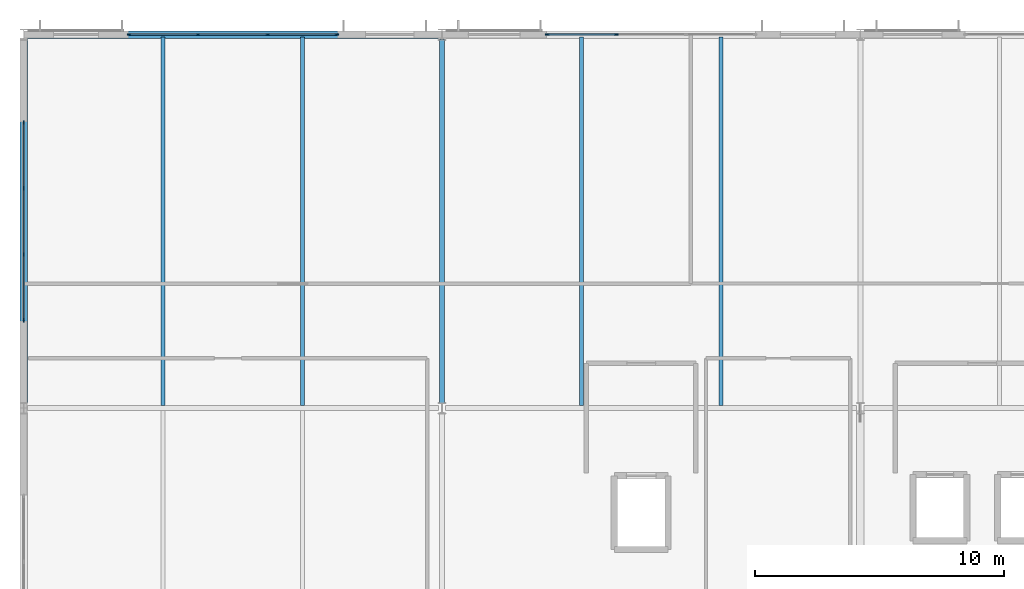
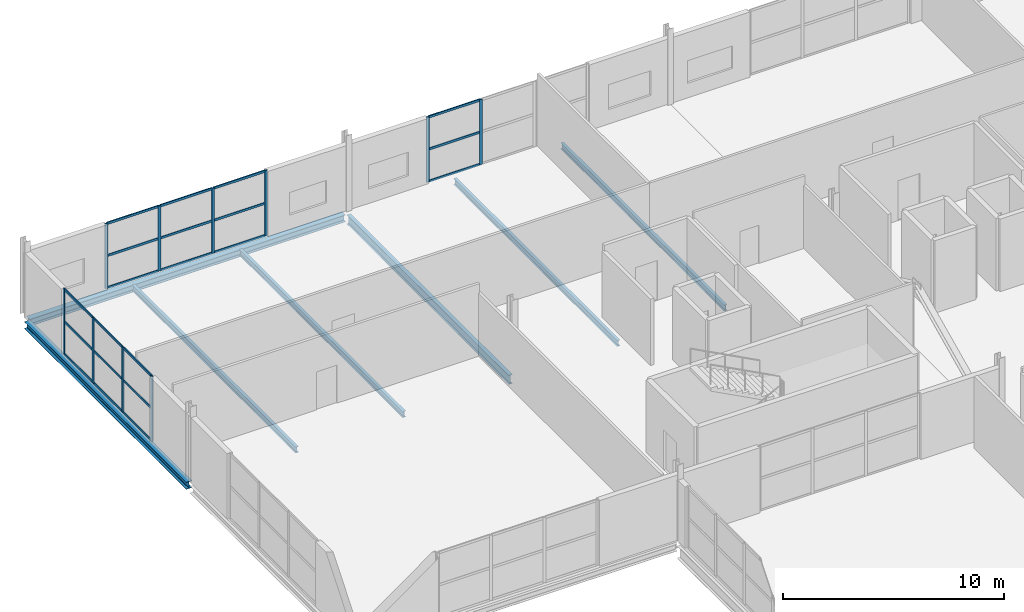
# One storey, part 14 of 39: 31 members, 7 beams, 3 elements without a shape of their own.
"""IFC4 building model written with IfcOpenShell, lengths in metres."""

from ifc_helpers import new_model, si_unit, direction, frame, origin, origin_2d, place, context, subcontext, project, spatial, rectangle, i_section, extrude, material, material_profile, profile_set, type_object, element, aggregate, save


model = new_model("IFC4")

# Units and contexts
model_context = context("Model", 3, precision=1e-05, world=origin(), true_north=direction((0.0, 1.0)))
body_context = subcontext(model_context, "Body", "Model", "MODEL_VIEW")
ifc_project = project(units=[si_unit("LENGTHUNIT", "METRE"), si_unit("AREAUNIT", "SQUARE_METRE"), si_unit("VOLUMEUNIT", "CUBIC_METRE"), si_unit("PLANEANGLEUNIT", "RADIAN"), si_unit("MASSUNIT", "GRAM", prefix="KILO")], contexts=[model_context])

# Site, building, storey
site_placement = place(None, origin())
site = spatial("IfcSite", under=ifc_project, at=site_placement, CompositionType="ELEMENT")
building_placement = place(site_placement, origin())
building = spatial("IfcBuilding", under=site, at=building_placement, Name="Kimbaza Rail Terminus", CompositionType="ELEMENT")
storey_placement = place(building_placement, frame((0.0, 0.0, 16.800048828125)))
storey = spatial("IfcBuildingStorey", under=building, at=storey_placement, Name="L03", CompositionType="ELEMENT", Elevation=16.800048828125)

# Curtain wall, members
ifc_material_1 = material(Name="Anodised aluminium framing and solar low-E glazing", Category="aluminium")
curtain_wall_type = type_object("IfcCurtainWallType", Name="ARC-CW-OP2", PredefinedType="USERDEFINED", material=ifc_material_1)
curtain_wall_1_placement = place(storey_placement, origin())
curtain_wall_1 = element("IfcCurtainWall", 1, at=curtain_wall_1_placement, inside=storey, type_object=curtain_wall_type, Name="Operations North Curtain Wall L03 Bay 1", ObjectType="STICK CURTAIN WALL", PredefinedType="USERDEFINED")
ifc_material_2 = material(Name="Anodised architectural aluminium", Category="aluminium")
ifc_material_profile_1 = material_profile(ifc_material_2, rectangle(XDim=0.05810546875, YDim=0.14990234375, at=origin_2d()), Name="MULLION 58x150")
ifc_profile_set_1 = profile_set([ifc_material_profile_1], Name="Anodised architectural aluminium")
member_type_1 = type_object("IfcMemberType", Name="ARC-CWM-06", PredefinedType="MULLION", material=ifc_profile_set_1)
member_1_placement = place(storey_placement, frame((59.428955078125, 133.0, 0.0), z_axis=(0.0, 0.0, 1.0), x_axis=(0.0, 1.0, 0.0)))
member_1 = element("IfcMember", 2, at=member_1_placement, type_object=member_type_1, Name="CW-06 mullion 1", PredefinedType="MULLION", context=body_context, shape_type="SweptSolid", body=[
    extrude(rectangle(XDim=0.05810546875, YDim=0.14990234375, at=origin_2d()), origin(), (0.0, 0.0, 1.0), 3.60498046875),
])
member_2_placement = place(storey_placement, frame((62.199951171875, 133.0, 0.0), z_axis=(0.0, 0.0, 1.0), x_axis=(0.0, 1.0, 0.0)))
member_2 = element("IfcMember", 3, at=member_2_placement, type_object=member_type_1, Name="CW-06 mullion 2", PredefinedType="MULLION", context=body_context, shape_type="SweptSolid", body=[
    extrude(rectangle(XDim=0.05810546875, YDim=0.14990234375, at=origin_2d()), origin(), (0.0, 0.0, 1.0), 3.60498046875),
])
member_3_placement = place(storey_placement, frame((65.0, 133.0, 0.0), z_axis=(0.0, 0.0, 1.0), x_axis=(0.0, 1.0, 0.0)))
member_3 = element("IfcMember", 4, at=member_3_placement, type_object=member_type_1, Name="CW-06 mullion 3", PredefinedType="MULLION", context=body_context, shape_type="SweptSolid", body=[
    extrude(rectangle(XDim=0.05810546875, YDim=0.14990234375, at=origin_2d()), origin(), (0.0, 0.0, 1.0), 3.60498046875),
])
member_4_placement = place(storey_placement, frame((67.77099609375, 133.0, 0.0), z_axis=(0.0, 0.0, 1.0), x_axis=(0.0, 1.0, 0.0)))
member_4 = element("IfcMember", 5, at=member_4_placement, type_object=member_type_1, Name="CW-06 mullion 4", PredefinedType="MULLION", context=body_context, shape_type="SweptSolid", body=[
    extrude(rectangle(XDim=0.05810546875, YDim=0.14990234375, at=origin_2d()), origin(), (0.0, 0.0, 1.0), 3.60498046875),
])

curtain_wall_2_placement = place(storey_placement, origin())
curtain_wall_2 = element("IfcCurtainWall", 6, at=curtain_wall_2_placement, inside=storey, type_object=curtain_wall_type, Name="Operations North Curtain Wall L03 Bay 2", ObjectType="STICK CURTAIN WALL", PredefinedType="USERDEFINED")
member_5_placement = place(storey_placement, frame((76.22900390625, 133.0, 0.0), z_axis=(0.0, 0.0, 1.0), x_axis=(0.0, 1.0, 0.0)))
member_5 = element("IfcMember", 7, at=member_5_placement, type_object=member_type_1, Name="CW-06 mullion 1", PredefinedType="MULLION", context=body_context, shape_type="SweptSolid", body=[
    extrude(rectangle(XDim=0.05810546875, YDim=0.14990234375, at=origin_2d()), origin(), (0.0, 0.0, 1.0), 3.60498046875),
])
member_6_placement = place(storey_placement, frame((79.0, 133.0, 0.0), z_axis=(0.0, 0.0, 1.0), x_axis=(0.0, 1.0, 0.0)))
member_6 = element("IfcMember", 8, at=member_6_placement, type_object=member_type_1, Name="CW-06 mullion 2", PredefinedType="MULLION", context=body_context, shape_type="SweptSolid", body=[
    extrude(rectangle(XDim=0.05810546875, YDim=0.14990234375, at=origin_2d()), origin(), (0.0, 0.0, 1.0), 3.60498046875),
])

curtain_wall_3_placement = place(storey_placement, origin())
curtain_wall_3 = element("IfcCurtainWall", 9, at=curtain_wall_3_placement, inside=storey, type_object=curtain_wall_type, Name="Operations W Curtain Wall L03.2", ObjectType="STICK CURTAIN WALL", PredefinedType="USERDEFINED")
member_7_placement = place(storey_placement, frame((55.199951171875, 121.529052734375, 0.0), z_axis=(0.0, 0.0, 1.0), x_axis=(-1.0, 0.0, 0.0)))
member_7 = element("IfcMember", 10, at=member_7_placement, type_object=member_type_1, Name="CW-06 mullion 1", PredefinedType="MULLION", context=body_context, shape_type="SweptSolid", body=[
    extrude(rectangle(XDim=0.05810546875, YDim=0.14990234375, at=origin_2d()), origin(), (0.0, 0.0, 1.0), 3.60498046875),
])
member_8_placement = place(storey_placement, frame((55.199951171875, 124.166748046875, 0.0), z_axis=(0.0, 0.0, 1.0), x_axis=(-1.0, 0.0, 0.0)))
member_8 = element("IfcMember", 11, at=member_8_placement, type_object=member_type_1, Name="CW-06 mullion 2", PredefinedType="MULLION", context=body_context, shape_type="SweptSolid", body=[
    extrude(rectangle(XDim=0.05810546875, YDim=0.14990234375, at=origin_2d()), origin(), (0.0, 0.0, 1.0), 3.60498046875),
])
member_9_placement = place(storey_placement, frame((55.199951171875, 126.833251953125, 0.0), z_axis=(0.0, 0.0, 1.0), x_axis=(-1.0, 0.0, 0.0)))
member_9 = element("IfcMember", 12, at=member_9_placement, type_object=member_type_1, Name="CW-06 mullion 3", PredefinedType="MULLION", context=body_context, shape_type="SweptSolid", body=[
    extrude(rectangle(XDim=0.05810546875, YDim=0.14990234375, at=origin_2d()), origin(), (0.0, 0.0, 1.0), 3.60498046875),
])
member_10_placement = place(storey_placement, frame((55.199951171875, 129.470947265625, 0.0), z_axis=(0.0, 0.0, 1.0), x_axis=(-1.0, 0.0, 0.0)))
member_10 = element("IfcMember", 13, at=member_10_placement, type_object=member_type_1, Name="CW-06 mullion 4", PredefinedType="MULLION", context=body_context, shape_type="SweptSolid", body=[
    extrude(rectangle(XDim=0.05810546875, YDim=0.14990234375, at=origin_2d()), origin(), (0.0, 0.0, 1.0), 3.60498046875),
])

# Member
ifc_material_3 = material(Name="Anodised architectural aluminium", Category="aluminium")
ifc_material_profile_2 = material_profile(ifc_material_3, rectangle(XDim=0.05810546875, YDim=0.125, at=origin_2d()), Name="TRANSOM 58x125")
ifc_profile_set_2 = profile_set([ifc_material_profile_2], Name="Anodised architectural aluminium")
member_type_2 = type_object("IfcMemberType", Name="ARC-CWT-06", PredefinedType="USERDEFINED", material=ifc_profile_set_2)
member_11_placement = place(storey_placement, frame((59.4580078125, 133.0, 0.029052734375), z_axis=(1.0, 0.0, 0.0), x_axis=(0.0, 1.0, 0.0)))
member_11 = element("IfcMember", 14, at=member_11_placement, type_object=member_type_2, Name="CW-06 transom 1.1", ObjectType="TRANSOM", PredefinedType="USERDEFINED", context=body_context, shape_type="SweptSolid", body=[
    extrude(rectangle(XDim=0.05810546875, YDim=0.125, at=origin_2d()), origin(), (0.0, 0.0, 1.0), 2.712890625),
])

member_12_placement = place(storey_placement, frame((59.4580078125, 133.0, 1.802490234375), z_axis=(1.0, 0.0, 0.0), x_axis=(0.0, 1.0, 0.0)))
member_12 = element("IfcMember", 15, at=member_12_placement, type_object=member_type_2, Name="CW-06 transom 1.2", ObjectType="TRANSOM", PredefinedType="USERDEFINED", context=body_context, shape_type="SweptSolid", body=[
    extrude(rectangle(XDim=0.05810546875, YDim=0.125, at=origin_2d()), origin(), (0.0, 0.0, 1.0), 2.712890625),
])

member_13_placement = place(storey_placement, frame((59.4580078125, 133.0, 3.575927734375), z_axis=(1.0, 0.0, 0.0), x_axis=(0.0, 1.0, 0.0)))
member_13 = element("IfcMember", 16, at=member_13_placement, type_object=member_type_2, Name="CW-06 transom 1.3", ObjectType="TRANSOM", PredefinedType="USERDEFINED", context=body_context, shape_type="SweptSolid", body=[
    extrude(rectangle(XDim=0.05810546875, YDim=0.125, at=origin_2d()), origin(), (0.0, 0.0, 1.0), 2.712890625),
])

member_14_placement = place(storey_placement, frame((62.22900390625, 133.0, 0.029052734375), z_axis=(1.0, 0.0, 0.0), x_axis=(0.0, 1.0, 0.0)))
member_14 = element("IfcMember", 17, at=member_14_placement, type_object=member_type_2, Name="CW-06 transom 2.1", ObjectType="TRANSOM", PredefinedType="USERDEFINED", context=body_context, shape_type="SweptSolid", body=[
    extrude(rectangle(XDim=0.05810546875, YDim=0.125, at=origin_2d()), origin(), (0.0, 0.0, 1.0), 2.741943359375),
])

member_15_placement = place(storey_placement, frame((62.22900390625, 133.0, 1.802490234375), z_axis=(1.0, 0.0, 0.0), x_axis=(0.0, 1.0, 0.0)))
member_15 = element("IfcMember", 18, at=member_15_placement, type_object=member_type_2, Name="CW-06 transom 2.2", ObjectType="TRANSOM", PredefinedType="USERDEFINED", context=body_context, shape_type="SweptSolid", body=[
    extrude(rectangle(XDim=0.05810546875, YDim=0.125, at=origin_2d()), origin(), (0.0, 0.0, 1.0), 2.741943359375),
])

member_16_placement = place(storey_placement, frame((62.22900390625, 133.0, 3.575927734375), z_axis=(1.0, 0.0, 0.0), x_axis=(0.0, 1.0, 0.0)))
member_16 = element("IfcMember", 19, at=member_16_placement, type_object=member_type_2, Name="CW-06 transom 2.3", ObjectType="TRANSOM", PredefinedType="USERDEFINED", context=body_context, shape_type="SweptSolid", body=[
    extrude(rectangle(XDim=0.05810546875, YDim=0.125, at=origin_2d()), origin(), (0.0, 0.0, 1.0), 2.741943359375),
])

member_17_placement = place(storey_placement, frame((65.029052734375, 133.0, 0.029052734375), z_axis=(1.0, 0.0, 0.0), x_axis=(0.0, 1.0, 0.0)))
member_17 = element("IfcMember", 20, at=member_17_placement, type_object=member_type_2, Name="CW-06 transom 3.1", ObjectType="TRANSOM", PredefinedType="USERDEFINED", context=body_context, shape_type="SweptSolid", body=[
    extrude(rectangle(XDim=0.05810546875, YDim=0.125, at=origin_2d()), origin(), (0.0, 0.0, 1.0), 2.712890625),
])

member_18_placement = place(storey_placement, frame((65.029052734375, 133.0, 1.802490234375), z_axis=(1.0, 0.0, 0.0), x_axis=(0.0, 1.0, 0.0)))
member_18 = element("IfcMember", 21, at=member_18_placement, type_object=member_type_2, Name="CW-06 transom 3.2", ObjectType="TRANSOM", PredefinedType="USERDEFINED", context=body_context, shape_type="SweptSolid", body=[
    extrude(rectangle(XDim=0.05810546875, YDim=0.125, at=origin_2d()), origin(), (0.0, 0.0, 1.0), 2.712890625),
])

member_19_placement = place(storey_placement, frame((65.029052734375, 133.0, 3.575927734375), z_axis=(1.0, 0.0, 0.0), x_axis=(0.0, 1.0, 0.0)))
member_19 = element("IfcMember", 22, at=member_19_placement, type_object=member_type_2, Name="CW-06 transom 3.3", ObjectType="TRANSOM", PredefinedType="USERDEFINED", context=body_context, shape_type="SweptSolid", body=[
    extrude(rectangle(XDim=0.05810546875, YDim=0.125, at=origin_2d()), origin(), (0.0, 0.0, 1.0), 2.712890625),
])

aggregate(curtain_wall_1, [member_1, member_2, member_3, member_4, member_11, member_12, member_13, member_14, member_15, member_16, member_17, member_18, member_19])

member_20_placement = place(storey_placement, frame((76.258056640625, 133.0, 0.029052734375), z_axis=(1.0, 0.0, 0.0), x_axis=(0.0, 1.0, 0.0)))
member_20 = element("IfcMember", 23, at=member_20_placement, type_object=member_type_2, Name="CW-06 transom 1.1", ObjectType="TRANSOM", PredefinedType="USERDEFINED", context=body_context, shape_type="SweptSolid", body=[
    extrude(rectangle(XDim=0.05810546875, YDim=0.125, at=origin_2d()), origin(), (0.0, 0.0, 1.0), 2.712890625),
])

member_21_placement = place(storey_placement, frame((76.258056640625, 133.0, 1.802490234375), z_axis=(1.0, 0.0, 0.0), x_axis=(0.0, 1.0, 0.0)))
member_21 = element("IfcMember", 24, at=member_21_placement, type_object=member_type_2, Name="CW-06 transom 1.2", ObjectType="TRANSOM", PredefinedType="USERDEFINED", context=body_context, shape_type="SweptSolid", body=[
    extrude(rectangle(XDim=0.05810546875, YDim=0.125, at=origin_2d()), origin(), (0.0, 0.0, 1.0), 2.712890625),
])

member_22_placement = place(storey_placement, frame((76.258056640625, 133.0, 3.575927734375), z_axis=(1.0, 0.0, 0.0), x_axis=(0.0, 1.0, 0.0)))
member_22 = element("IfcMember", 25, at=member_22_placement, type_object=member_type_2, Name="CW-06 transom 1.3", ObjectType="TRANSOM", PredefinedType="USERDEFINED", context=body_context, shape_type="SweptSolid", body=[
    extrude(rectangle(XDim=0.05810546875, YDim=0.125, at=origin_2d()), origin(), (0.0, 0.0, 1.0), 2.712890625),
])

aggregate(curtain_wall_2, [member_5, member_6, member_20, member_21, member_22])

member_23_placement = place(storey_placement, frame((55.199951171875, 121.55810546875, 0.029052734375), z_axis=(0.0, 1.0, 0.0), x_axis=(-1.0, 0.0, 0.0)))
member_23 = element("IfcMember", 26, at=member_23_placement, type_object=member_type_2, Name="CW-06 transom 1.1", ObjectType="TRANSOM", PredefinedType="USERDEFINED", context=body_context, shape_type="SweptSolid", body=[
    extrude(rectangle(XDim=0.05810546875, YDim=0.125, at=origin_2d()), origin(), (0.0, 0.0, 1.0), 2.57958984375),
])

member_24_placement = place(storey_placement, frame((55.199951171875, 121.55810546875, 1.802490234375), z_axis=(0.0, 1.0, 0.0), x_axis=(-1.0, 0.0, 0.0)))
member_24 = element("IfcMember", 27, at=member_24_placement, type_object=member_type_2, Name="CW-06 transom 1.2", ObjectType="TRANSOM", PredefinedType="USERDEFINED", context=body_context, shape_type="SweptSolid", body=[
    extrude(rectangle(XDim=0.05810546875, YDim=0.125, at=origin_2d()), origin(), (0.0, 0.0, 1.0), 2.57958984375),
])

member_25_placement = place(storey_placement, frame((55.199951171875, 121.55810546875, 3.575927734375), z_axis=(0.0, 1.0, 0.0), x_axis=(-1.0, 0.0, 0.0)))
member_25 = element("IfcMember", 28, at=member_25_placement, type_object=member_type_2, Name="CW-06 transom 1.3", ObjectType="TRANSOM", PredefinedType="USERDEFINED", context=body_context, shape_type="SweptSolid", body=[
    extrude(rectangle(XDim=0.05810546875, YDim=0.125, at=origin_2d()), origin(), (0.0, 0.0, 1.0), 2.57958984375),
])

member_26_placement = place(storey_placement, frame((55.199951171875, 124.195556640625, 0.029052734375), z_axis=(0.0, 1.0, 0.0), x_axis=(-1.0, 0.0, 0.0)))
member_26 = element("IfcMember", 29, at=member_26_placement, type_object=member_type_2, Name="CW-06 transom 2.1", ObjectType="TRANSOM", PredefinedType="USERDEFINED", context=body_context, shape_type="SweptSolid", body=[
    extrude(rectangle(XDim=0.05810546875, YDim=0.125, at=origin_2d()), origin(), (0.0, 0.0, 1.0), 2.60888671875),
])

member_27_placement = place(storey_placement, frame((55.199951171875, 124.195556640625, 1.802490234375), z_axis=(0.0, 1.0, 0.0), x_axis=(-1.0, 0.0, 0.0)))
member_27 = element("IfcMember", 30, at=member_27_placement, type_object=member_type_2, Name="CW-06 transom 2.2", ObjectType="TRANSOM", PredefinedType="USERDEFINED", context=body_context, shape_type="SweptSolid", body=[
    extrude(rectangle(XDim=0.05810546875, YDim=0.125, at=origin_2d()), origin(), (0.0, 0.0, 1.0), 2.60888671875),
])

member_28_placement = place(storey_placement, frame((55.199951171875, 124.195556640625, 3.575927734375), z_axis=(0.0, 1.0, 0.0), x_axis=(-1.0, 0.0, 0.0)))
member_28 = element("IfcMember", 31, at=member_28_placement, type_object=member_type_2, Name="CW-06 transom 2.3", ObjectType="TRANSOM", PredefinedType="USERDEFINED", context=body_context, shape_type="SweptSolid", body=[
    extrude(rectangle(XDim=0.05810546875, YDim=0.125, at=origin_2d()), origin(), (0.0, 0.0, 1.0), 2.60888671875),
])

member_29_placement = place(storey_placement, frame((55.199951171875, 126.8623046875, 0.029052734375), z_axis=(0.0, 1.0, 0.0), x_axis=(-1.0, 0.0, 0.0)))
member_29 = element("IfcMember", 32, at=member_29_placement, type_object=member_type_2, Name="CW-06 transom 3.1", ObjectType="TRANSOM", PredefinedType="USERDEFINED", context=body_context, shape_type="SweptSolid", body=[
    extrude(rectangle(XDim=0.05810546875, YDim=0.125, at=origin_2d()), origin(), (0.0, 0.0, 1.0), 2.57958984375),
])

member_30_placement = place(storey_placement, frame((55.199951171875, 126.8623046875, 1.802490234375), z_axis=(0.0, 1.0, 0.0), x_axis=(-1.0, 0.0, 0.0)))
member_30 = element("IfcMember", 33, at=member_30_placement, type_object=member_type_2, Name="CW-06 transom 3.2", ObjectType="TRANSOM", PredefinedType="USERDEFINED", context=body_context, shape_type="SweptSolid", body=[
    extrude(rectangle(XDim=0.05810546875, YDim=0.125, at=origin_2d()), origin(), (0.0, 0.0, 1.0), 2.57958984375),
])

member_31_placement = place(storey_placement, frame((55.199951171875, 126.8623046875, 3.575927734375), z_axis=(0.0, 1.0, 0.0), x_axis=(-1.0, 0.0, 0.0)))
member_31 = element("IfcMember", 34, at=member_31_placement, type_object=member_type_2, Name="CW-06 transom 3.3", ObjectType="TRANSOM", PredefinedType="USERDEFINED", context=body_context, shape_type="SweptSolid", body=[
    extrude(rectangle(XDim=0.05810546875, YDim=0.125, at=origin_2d()), origin(), (0.0, 0.0, 1.0), 2.57958984375),
])

aggregate(curtain_wall_3, [member_7, member_8, member_9, member_10, member_23, member_24, member_25, member_26, member_27, member_28, member_29, member_30, member_31])

# Beams
ifc_material_4 = material(Name="Steel S355", Category="steel")
ifc_material_profile_3 = material_profile(ifc_material_4, i_section(OverallWidth=0.300048828125, OverallDepth=0.389892578125, WebThickness=0.010986328125, FlangeThickness=0.01904296875, FilletRadius=0.027099609375, at=origin_2d()), Name="HEA 400")
ifc_profile_set_3 = profile_set([ifc_material_profile_3], Name="Steel S355")
beam_type_1 = type_object("IfcBeamType", Name="STR-BM-HEA400", PredefinedType="SPANDREL", material=ifc_profile_set_3)
beam_1_placement = place(storey_placement, frame((55.345947265625, 133.0, -0.39501953125), z_axis=(1.0, 0.0, 0.0), x_axis=(0.0, 1.0, 0.0)))
element("IfcBeam", 35, at=beam_1_placement, inside=storey, type_object=beam_type_1, Name="Operations Girder L03 X0-Y2", PredefinedType="SPANDREL", context=body_context, shape_type="SweptSolid", body=[
    extrude(i_section(OverallWidth=0.300048828125, OverallDepth=0.389892578125, WebThickness=0.010986328125, FlangeThickness=0.01904296875, FilletRadius=0.027099609375, at=origin_2d()), origin(), (0.0, 0.0, 1.0), 16.508056640625),
])
beam_2_placement = place(storey_placement, frame((55.199951171875, 118.175048828125, -0.39501953125), z_axis=(0.0, 1.0, 0.0), x_axis=(-1.0, 0.0, 0.0)))
element("IfcBeam", 36, at=beam_2_placement, inside=storey, type_object=beam_type_1, Name="Operations Cross Girder L03 X0-Y1", PredefinedType="SPANDREL", context=body_context, shape_type="SweptSolid", body=[
    extrude(i_section(OverallWidth=0.300048828125, OverallDepth=0.389892578125, WebThickness=0.010986328125, FlangeThickness=0.01904296875, FilletRadius=0.027099609375, at=origin_2d()), origin(), (0.0, 0.0, 1.0), 14.64990234375),
])
ifc_material_5 = material(Name="Steel S355", Category="steel")
ifc_material_profile_4 = material_profile(ifc_material_5, i_section(OverallWidth=0.159912109375, OverallDepth=0.330078125, WebThickness=0.007568359375, FlangeThickness=0.011474609375, FilletRadius=0.01806640625, at=origin_2d()), Name="IPE 330")
ifc_profile_set_4 = profile_set([ifc_material_profile_4], Name="Steel S355")
beam_type_2 = type_object("IfcBeamType", Name="STR-BM-IPE330", PredefinedType="JOIST", material=ifc_profile_set_4)
for number, where, z_axis, x_axis, name in (
    (37, (60.800048828125, 118.10009765625, -0.364990234375), (0.0, 1.0, 0.0), (-1.0, 0.0, 0.0), "Operations Secondary Joist L03"),
    (38, (66.39990234375, 118.10009765625, -0.364990234375), (0.0, 1.0, 0.0), (-1.0, 0.0, 0.0), "Operations Secondary Joist L03"),
    (39, (77.60009765625, 118.10009765625, -0.364990234375), (0.0, 1.0, 0.0), (-1.0, 0.0, 0.0), "Operations Secondary Joist L03"),
    (40, (83.199951171875, 118.10009765625, -0.364990234375), (0.0, 1.0, 0.0), (-1.0, 0.0, 0.0), "Operations Secondary Joist L03"),
):
    element("IfcBeam", number, at=place(storey_placement, frame(where, z_axis=z_axis, x_axis=x_axis)), inside=storey, type_object=beam_type_2, Name=name, PredefinedType="JOIST", context=body_context, shape_type="SweptSolid", body=[
        extrude(i_section(OverallWidth=0.159912109375, OverallDepth=0.330078125, WebThickness=0.007568359375, FlangeThickness=0.011474609375, FilletRadius=0.01806640625, at=origin_2d()), origin(), (0.0, 0.0, 1.0), 14.7998046875),
    ])
ifc_material_6 = material(Name="Steel S355", Category="steel")
ifc_material_profile_5 = material_profile(ifc_material_6, i_section(OverallWidth=0.199951171875, OverallDepth=0.5, WebThickness=0.01025390625, FlangeThickness=0.01611328125, FilletRadius=0.02099609375, at=origin_2d()), Name="IPE 500")
ifc_profile_set_5 = profile_set([ifc_material_profile_5], Name="Steel S355")
beam_type_3 = type_object("IfcBeamType", Name="STR-BM-IPE500", PredefinedType="BEAM", material=ifc_profile_set_5)
beam_3_placement = place(storey_placement, frame((72.0, 118.175048828125, -0.449951171875), z_axis=(0.0, 1.0, 0.0), x_axis=(-1.0, 0.0, 0.0)))
element("IfcBeam", 41, at=beam_3_placement, inside=storey, type_object=beam_type_3, Name="Operations Cross Girder L03 X1-Y1", PredefinedType="BEAM", context=body_context, shape_type="SweptSolid", body=[
    extrude(i_section(OverallWidth=0.199951171875, OverallDepth=0.5, WebThickness=0.01025390625, FlangeThickness=0.01611328125, FilletRadius=0.02099609375, at=origin_2d()), origin(), (0.0, 0.0, 1.0), 14.64990234375),
])

save(model, "model.ifc")
